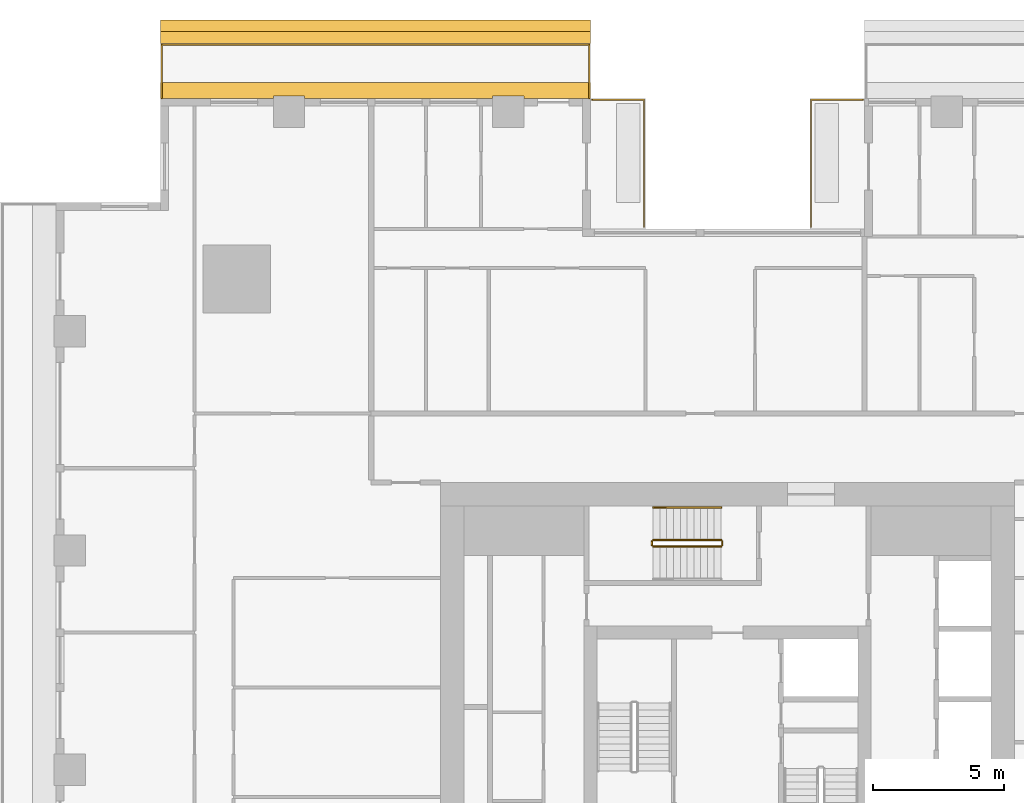
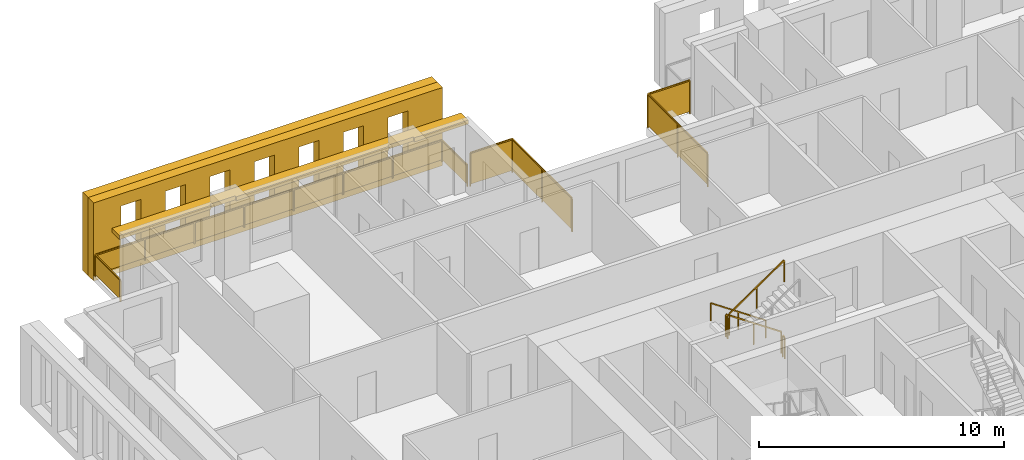
# One storey, part 15 of 16: 8 railings, 3 shading devices.
"""IFC4 building model written with IfcOpenShell, lengths in metres."""

from ifc_helpers import new_model, si_unit, direction, frame, origin, origin_2d, place, context, subcontext, project, spatial, polyline, rectangle, outline, extrude, material, layer, layer_set, type_object, element, save


model = new_model("IFC4")

# Units and contexts
model_context = context("Model", 3, precision=1e-05, world=origin(), true_north=direction((0.0, 1.0)))
body_context = subcontext(model_context, "Body", "Model", "MODEL_VIEW")
ifc_project = project(units=[si_unit("LENGTHUNIT", "METRE"), si_unit("AREAUNIT", "SQUARE_METRE"), si_unit("VOLUMEUNIT", "CUBIC_METRE"), si_unit("PLANEANGLEUNIT", "RADIAN"), si_unit("MASSUNIT", "GRAM", prefix="KILO")], contexts=[model_context])

# Site, building, storey
site_placement = place(None, origin())
site = spatial("IfcSite", under=ifc_project, at=site_placement, CompositionType="ELEMENT")
building_placement = place(site_placement, origin())
building = spatial("IfcBuilding", under=site, at=building_placement, Name="Khepri Terraces", CompositionType="ELEMENT")
storey_placement = place(building_placement, frame((0.0, 0.0, 141.60009765625)))
storey = spatial("IfcBuildingStorey", under=building, at=storey_placement, Name="L33", CompositionType="ELEMENT", Elevation=141.60009765625)

# Railings
ifc_material_1 = material(Name="Stainless steel grade 316", Category="steel")
railing_type_1 = type_object("IfcRailingType", Name="GRD-BAL-1100", PredefinedType="GUARDRAIL", material=ifc_material_1)
railing_1_placement = place(storey_placement, frame((-5.300048828125, 25.719970703125, 0.0)))
element("IfcRailing", 1, at=railing_1_placement, inside=storey, type_object=railing_type_1, Name="Balcony guard L33 N", PredefinedType="GUARDRAIL", context=body_context, shape_type="SweptSolid", body=[
    extrude(rectangle(XDim=0.050048828125, YDim=0.06005859375, at=origin_2d()), frame((0.0, 0.0, 1.070068359375), z_axis=(0.0, 1.0, 0.0), x_axis=(-1.0, 0.0, 0.0)), (0.0, 0.0, 1.0), 2.050048828125),
    extrude(rectangle(XDim=2.0, YDim=0.011962890625, at=origin_2d()), frame((0.0, 1.02490234375, 0.10009765625), z_axis=(0.0, 0.0, 1.0), x_axis=(0.0, 1.0, 0.0)), (0.0, 0.0, 1.0), 0.93994140625),
    extrude(rectangle(XDim=0.050048828125, YDim=0.06005859375, at=origin_2d()), frame((0.0, 2.050048828125, 1.070068359375), z_axis=(-1.0, 0.0, 0.0), x_axis=(0.0, -1.0, 0.0)), (0.0, 0.0, 1.0), 16.369873046875),
    extrude(rectangle(XDim=2.28857421875, YDim=0.011962890625, at=origin_2d()), frame((-1.169189453125, 2.050048828125, 0.10009765625), z_axis=(0.0, 0.0, 1.0), x_axis=(-1.0, 0.0, 0.0)), (0.0, 0.0, 1.0), 0.93994140625),
    extrude(rectangle(XDim=2.28857421875, YDim=0.011962890625, at=origin_2d()), frame((-3.5078125, 2.050048828125, 0.10009765625), z_axis=(0.0, 0.0, 1.0), x_axis=(-1.0, 0.0, 0.0)), (0.0, 0.0, 1.0), 0.93994140625),
    extrude(rectangle(XDim=2.28857421875, YDim=0.011962890625, at=origin_2d()), frame((-5.846435546875, 2.050048828125, 0.10009765625), z_axis=(0.0, 0.0, 1.0), x_axis=(-1.0, 0.0, 0.0)), (0.0, 0.0, 1.0), 0.93994140625),
    extrude(rectangle(XDim=2.28857421875, YDim=0.011962890625, at=origin_2d()), frame((-8.18505859375, 2.050048828125, 0.10009765625), z_axis=(0.0, 0.0, 1.0), x_axis=(-1.0, 0.0, 0.0)), (0.0, 0.0, 1.0), 0.93994140625),
    extrude(rectangle(XDim=2.28857421875, YDim=0.011962890625, at=origin_2d()), frame((-10.5234375, 2.050048828125, 0.10009765625), z_axis=(0.0, 0.0, 1.0), x_axis=(-1.0, 0.0, 0.0)), (0.0, 0.0, 1.0), 0.93994140625),
    extrude(rectangle(XDim=2.28857421875, YDim=0.011962890625, at=origin_2d()), frame((-12.862060546875, 2.050048828125, 0.10009765625), z_axis=(0.0, 0.0, 1.0), x_axis=(-1.0, 0.0, 0.0)), (0.0, 0.0, 1.0), 0.93994140625),
    extrude(rectangle(XDim=2.28857421875, YDim=0.011962890625, at=origin_2d()), frame((-15.20068359375, 2.050048828125, 0.10009765625), z_axis=(0.0, 0.0, 1.0), x_axis=(-1.0, 0.0, 0.0)), (0.0, 0.0, 1.0), 0.93994140625),
    extrude(rectangle(XDim=0.050048828125, YDim=0.06005859375, at=origin_2d()), frame((-16.369873046875, 2.050048828125, 1.070068359375), z_axis=(0.0, -1.0, 0.0), x_axis=(1.0, 0.0, 0.0)), (0.0, 0.0, 1.0), 2.050048828125),
    extrude(rectangle(XDim=2.0, YDim=0.011962890625, at=origin_2d()), frame((-16.369873046875, 1.02490234375, 0.10009765625), z_axis=(0.0, 0.0, 1.0), x_axis=(0.0, -1.0, 0.0)), (0.0, 0.0, 1.0), 0.93994140625),
    extrude(rectangle(XDim=0.050048828125, YDim=0.050048828125, at=origin_2d()), origin(), (0.0, 0.0, 1.0), 1.0400390625),
    extrude(rectangle(XDim=0.050048828125, YDim=0.050048828125, at=origin_2d()), frame((0.0, 2.050048828125, 0.0)), (0.0, 0.0, 1.0), 1.0400390625),
    extrude(rectangle(XDim=0.050048828125, YDim=0.050048828125, at=origin_2d()), frame((-2.338623046875, 2.050048828125, 0.0)), (0.0, 0.0, 1.0), 1.0400390625),
    extrude(rectangle(XDim=0.050048828125, YDim=0.050048828125, at=origin_2d()), frame((-4.677001953125, 2.050048828125, 0.0)), (0.0, 0.0, 1.0), 1.0400390625),
    extrude(rectangle(XDim=0.050048828125, YDim=0.050048828125, at=origin_2d()), frame((-7.015625, 2.050048828125, 0.0)), (0.0, 0.0, 1.0), 1.0400390625),
    extrude(rectangle(XDim=0.050048828125, YDim=0.050048828125, at=origin_2d()), frame((-9.354248046875, 2.050048828125, 0.0)), (0.0, 0.0, 1.0), 1.0400390625),
    extrude(rectangle(XDim=0.050048828125, YDim=0.050048828125, at=origin_2d()), frame((-11.69287109375, 2.050048828125, 0.0)), (0.0, 0.0, 1.0), 1.0400390625),
    extrude(rectangle(XDim=0.050048828125, YDim=0.050048828125, at=origin_2d()), frame((-14.03125, 2.050048828125, 0.0)), (0.0, 0.0, 1.0), 1.0400390625),
    extrude(rectangle(XDim=0.050048828125, YDim=0.050048828125, at=origin_2d()), frame((-16.369873046875, 2.050048828125, 0.0)), (0.0, 0.0, 1.0), 1.0400390625),
    extrude(rectangle(XDim=0.050048828125, YDim=0.050048828125, at=origin_2d()), frame((-16.369873046875, 0.0, 0.0)), (0.0, 0.0, 1.0), 1.0400390625),
])
railing_type_2 = type_object("IfcRailingType", Name="GRD-TERR-1700", PredefinedType="GUARDRAIL", material=ifc_material_1)
railing_2_placement = place(storey_placement, frame((3.199951171875, 20.7900390625, 0.0)))
element("IfcRailing", 2, at=railing_2_placement, inside=storey, type_object=railing_type_2, Name="Terrace guard L33", PredefinedType="GUARDRAIL", context=body_context, shape_type="SweptSolid", body=[
    extrude(rectangle(XDim=0.050048828125, YDim=0.06005859375, at=origin_2d()), frame((0.0, 0.0, 1.669921875), z_axis=(0.0, 1.0, 0.0), x_axis=(-1.0, 0.0, 0.0)), (0.0, 0.0, 1.0), 4.8798828125),
    extrude(rectangle(XDim=2.389892578125, YDim=0.011962890625, at=origin_2d()), frame((0.0, 1.219970703125, 0.10009765625), z_axis=(0.0, 0.0, 1.0), x_axis=(0.0, 1.0, 0.0)), (0.0, 0.0, 1.0), 1.539794921875),
    extrude(rectangle(XDim=2.389892578125, YDim=0.011962890625, at=origin_2d()), frame((0.0, 3.659912109375, 0.10009765625), z_axis=(0.0, 0.0, 1.0), x_axis=(0.0, 1.0, 0.0)), (0.0, 0.0, 1.0), 1.539794921875),
    extrude(rectangle(XDim=0.050048828125, YDim=0.06005859375, at=origin_2d()), frame((0.0, 4.8798828125, 1.669921875), z_axis=(1.0, 0.0, 0.0), x_axis=(0.0, 1.0, 0.0)), (0.0, 0.0, 1.0), 1.97998046875),
    extrude(rectangle(XDim=1.929931640625, YDim=0.011962890625, at=origin_2d()), frame((0.989990234375, 4.8798828125, 0.10009765625), z_axis=(0.0, 0.0, 1.0), x_axis=(1.0, 0.0, 0.0)), (0.0, 0.0, 1.0), 1.539794921875),
    extrude(rectangle(XDim=0.050048828125, YDim=0.050048828125, at=origin_2d()), origin(), (0.0, 0.0, 1.0), 1.639892578125),
    extrude(rectangle(XDim=0.050048828125, YDim=0.050048828125, at=origin_2d()), frame((0.0, 2.43994140625, 0.0)), (0.0, 0.0, 1.0), 1.639892578125),
    extrude(rectangle(XDim=0.050048828125, YDim=0.050048828125, at=origin_2d()), frame((0.0, 4.8798828125, 0.0)), (0.0, 0.0, 1.0), 1.639892578125),
    extrude(rectangle(XDim=0.050048828125, YDim=0.050048828125, at=origin_2d()), frame((1.97998046875, 4.8798828125, 0.0)), (0.0, 0.0, 1.0), 1.639892578125),
])
railing_3_placement = place(storey_placement, frame((-5.179931640625, 25.669921875, 0.0)))
element("IfcRailing", 3, at=railing_3_placement, inside=storey, type_object=railing_type_2, Name="Terrace guard L33", PredefinedType="GUARDRAIL", context=body_context, shape_type="SweptSolid", body=[
    extrude(rectangle(XDim=0.050048828125, YDim=0.06005859375, at=origin_2d()), frame((0.0, 0.0, 1.669921875), z_axis=(1.0, 0.0, 0.0), x_axis=(0.0, 1.0, 0.0)), (0.0, 0.0, 1.0), 1.97998046875),
    extrude(rectangle(XDim=1.929931640625, YDim=0.011962890625, at=origin_2d()), frame((0.989990234375, 0.0, 0.10009765625), z_axis=(0.0, 0.0, 1.0), x_axis=(1.0, 0.0, 0.0)), (0.0, 0.0, 1.0), 1.539794921875),
    extrude(rectangle(XDim=0.050048828125, YDim=0.06005859375, at=origin_2d()), frame((1.97998046875, 0.0, 1.669921875), z_axis=(0.0, -1.0, 0.0), x_axis=(1.0, 0.0, 0.0)), (0.0, 0.0, 1.0), 4.8798828125),
    extrude(rectangle(XDim=2.389892578125, YDim=0.011962890625, at=origin_2d()), frame((1.97998046875, -1.219970703125, 0.10009765625), z_axis=(0.0, 0.0, 1.0), x_axis=(0.0, -1.0, 0.0)), (0.0, 0.0, 1.0), 1.539794921875),
    extrude(rectangle(XDim=2.389892578125, YDim=0.011962890625, at=origin_2d()), frame((1.97998046875, -3.659912109375, 0.10009765625), z_axis=(0.0, 0.0, 1.0), x_axis=(0.0, -1.0, 0.0)), (0.0, 0.0, 1.0), 1.539794921875),
    extrude(rectangle(XDim=0.050048828125, YDim=0.050048828125, at=origin_2d()), origin(), (0.0, 0.0, 1.0), 1.639892578125),
    extrude(rectangle(XDim=0.050048828125, YDim=0.050048828125, at=origin_2d()), frame((1.97998046875, 0.0, 0.0)), (0.0, 0.0, 1.0), 1.639892578125),
    extrude(rectangle(XDim=0.050048828125, YDim=0.050048828125, at=origin_2d()), frame((1.97998046875, -2.43994140625, 0.0)), (0.0, 0.0, 1.0), 1.639892578125),
    extrude(rectangle(XDim=0.050048828125, YDim=0.050048828125, at=origin_2d()), frame((1.97998046875, -4.8798828125, 0.0)), (0.0, 0.0, 1.0), 1.639892578125),
])
ifc_material_2 = material(Name="Stainless steel 316", Category="steel")
railing_type_3 = type_object("IfcRailingType", Name="RL-CORE-GUARD", PredefinedType="GUARDRAIL", material=ifc_material_2)
railing_4_placement = place(storey_placement, frame((-0.25, 8.800048828125, 0.17724609375)))
element("IfcRailing", 4, at=railing_4_placement, inside=storey, type_object=railing_type_3, Name="L33 ST-3 stair guard 1", PredefinedType="GUARDRAIL", context=body_context, shape_type="SweptSolid", body=[
    extrude(rectangle(XDim=0.050048828125, YDim=0.06005859375, at=origin_2d()), frame((0.0, 0.0, 1.070068359375), z_axis=(-0.826240473404, 0.0, 0.563317565952), x_axis=(0.0, -1.0, 0.0)), (0.0, 0.0, 1.0), 3.14697265625),
    extrude(rectangle(XDim=0.050048828125, YDim=0.050048828125, at=origin_2d()), origin(), (0.0, 0.0, 1.0), 1.0400390625),
    extrude(rectangle(XDim=0.050048828125, YDim=0.050048828125, at=origin_2d()), frame((-1.300048828125, 0.0, 0.88623046875)), (0.0, 0.0, 1.0), 1.0400390625),
    extrude(rectangle(XDim=0.050048828125, YDim=0.050048828125, at=origin_2d()), frame((-2.60009765625, 0.0, 1.772705078125)), (0.0, 0.0, 1.0), 1.0400390625),
])
railing_5_placement = place(storey_placement, frame((-2.89990234375, 8.75, 1.949951171875)))
element("IfcRailing", 5, at=railing_5_placement, inside=storey, type_object=railing_type_3, Name="L33 ST-3 stair guard 2", PredefinedType="GUARDRAIL", context=body_context, shape_type="SweptSolid", body=[
    extrude(rectangle(XDim=0.050048828125, YDim=0.06005859375, at=origin_2d()), frame((0.0, 0.0, 1.070068359375), z_axis=(0.0, -1.0, 0.0), x_axis=(1.0, 0.0, 0.0)), (0.0, 0.0, 1.0), 0.14990234375),
    extrude(rectangle(XDim=0.050048828125, YDim=0.050048828125, at=origin_2d()), origin(), (0.0, 0.0, 1.0), 1.0400390625),
    extrude(rectangle(XDim=0.050048828125, YDim=0.050048828125, at=origin_2d()), frame((0.0, -0.14990234375, 0.0)), (0.0, 0.0, 1.0), 1.0400390625),
])
railing_6_placement = place(storey_placement, frame((-2.85009765625, 8.550048828125, 2.127197265625)))
element("IfcRailing", 6, at=railing_6_placement, inside=storey, type_object=railing_type_3, Name="L33 ST-3 stair guard 3", PredefinedType="GUARDRAIL", context=body_context, shape_type="SweptSolid", body=[
    extrude(rectangle(XDim=0.050048828125, YDim=0.06005859375, at=origin_2d()), frame((0.0, 0.0, 1.070068359375), z_axis=(0.826240473404, 0.0, 0.563317565952), x_axis=(0.0, 1.0, 0.0)), (0.0, 0.0, 1.0), 3.14697265625),
    extrude(rectangle(XDim=0.050048828125, YDim=0.050048828125, at=origin_2d()), origin(), (0.0, 0.0, 1.0), 1.0400390625),
    extrude(rectangle(XDim=0.050048828125, YDim=0.050048828125, at=origin_2d()), frame((1.300048828125, 0.0, 0.88623046875)), (0.0, 0.0, 1.0), 1.0400390625),
    extrude(rectangle(XDim=0.050048828125, YDim=0.050048828125, at=origin_2d()), frame((2.60009765625, 0.0, 1.772705078125)), (0.0, 0.0, 1.0), 1.0400390625),
])
railing_7_placement = place(storey_placement, frame((-0.199951171875, 8.75, 0.0)))
element("IfcRailing", 7, at=railing_7_placement, inside=storey, type_object=railing_type_3, Name="L33 ST-3 stair guard 4", PredefinedType="GUARDRAIL", context=body_context, shape_type="SweptSolid", body=[
    extrude(rectangle(XDim=0.050048828125, YDim=0.06005859375, at=origin_2d()), frame((0.0, 0.0, 1.070068359375), z_axis=(0.0, -1.0, 0.0), x_axis=(1.0, 0.0, 0.0)), (0.0, 0.0, 1.0), 0.14990234375),
    extrude(rectangle(XDim=0.050048828125, YDim=0.050048828125, at=origin_2d()), origin(), (0.0, 0.0, 1.0), 1.0400390625),
    extrude(rectangle(XDim=0.050048828125, YDim=0.050048828125, at=origin_2d()), frame((0.0, -0.14990234375, 0.0)), (0.0, 0.0, 1.0), 1.0400390625),
])
railing_type_4 = type_object("IfcRailingType", Name="RL-CORE-HANDRAIL", PredefinedType="HANDRAIL", material=ifc_material_2)
railing_8_placement = place(storey_placement, frame((-0.25, 10.050048828125, 0.17724609375)))
element("IfcRailing", 8, at=railing_8_placement, inside=storey, type_object=railing_type_4, Name="L33 ST-3 stair handrail 1", PredefinedType="HANDRAIL", context=body_context, shape_type="SweptSolid", body=[
    extrude(rectangle(XDim=0.050048828125, YDim=0.050048828125, at=origin_2d()), frame((0.0, 0.0, 0.875), z_axis=(-0.826240473404, 0.0, 0.563317565952), x_axis=(0.0, -1.0, 0.0)), (0.0, 0.0, 1.0), 3.14697265625),
    extrude(rectangle(XDim=0.050048828125, YDim=0.050048828125, at=origin_2d()), origin(), (0.0, 0.0, 1.0), 0.849853515625),
    extrude(rectangle(XDim=0.050048828125, YDim=0.050048828125, at=origin_2d()), frame((-1.300048828125, 0.0, 0.88623046875)), (0.0, 0.0, 1.0), 0.849853515625),
    extrude(rectangle(XDim=0.050048828125, YDim=0.050048828125, at=origin_2d()), frame((-2.60009765625, 0.0, 1.772705078125)), (0.0, 0.0, 1.0), 0.849853515625),
])

# Shading devices
ifc_material_3 = material(Name="Precast concrete C50/60 warm stone", Category="masonry")
shading_device_type_1 = type_object("IfcShadingDeviceType", Name="SCR-CELL-INNER-450", PredefinedType="USERDEFINED", material=ifc_material_3)
shading_device_1_placement = place(storey_placement, frame((-5.25, 27.820068359375, -0.25), z_axis=(0.0, 1.0, 0.0), x_axis=(-1.0, 0.0, 0.0)))
element("IfcShadingDevice", 9, at=shading_device_1_placement, inside=storey, type_object=shading_device_type_1, Name="Cell screen L33 N in", ObjectType="SCREEN", PredefinedType="USERDEFINED", context=body_context, shape_type="SweptSolid", body=[
    extrude(outline(polyline([(0.0, 0.0), (16.469970703125, 0.0), (16.469970703125, 3.89990234375), (0.0, 3.89990234375), (0.0, 0.0)]), holes=[polyline([(1.62744140625, 0.699951171875), (2.572509765625, 0.699951171875), (2.572509765625, 3.300048828125), (1.62744140625, 3.300048828125), (1.62744140625, 0.699951171875)]), polyline([(3.7275390625, 0.699951171875), (4.672607421875, 0.699951171875), (4.672607421875, 3.300048828125), (3.7275390625, 3.300048828125), (3.7275390625, 0.699951171875)]), polyline([(5.827392578125, 0.699951171875), (6.7724609375, 0.699951171875), (6.7724609375, 3.300048828125), (5.827392578125, 3.300048828125), (5.827392578125, 0.699951171875)]), polyline([(7.927490234375, 0.699951171875), (8.87255859375, 0.699951171875), (8.87255859375, 3.300048828125), (7.927490234375, 3.300048828125), (7.927490234375, 0.699951171875)]), polyline([(10.027587890625, 0.699951171875), (10.972412109375, 0.699951171875), (10.972412109375, 3.300048828125), (10.027587890625, 3.300048828125), (10.027587890625, 0.699951171875)]), polyline([(12.12744140625, 0.699951171875), (13.072509765625, 0.699951171875), (13.072509765625, 3.300048828125), (12.12744140625, 3.300048828125), (12.12744140625, 0.699951171875)]), polyline([(14.2275390625, 0.699951171875), (15.172607421875, 0.699951171875), (15.172607421875, 3.300048828125), (14.2275390625, 3.300048828125), (14.2275390625, 0.699951171875)])]), origin(), (0.0, 0.0, 1.0), 0.449951171875),
])
shading_device_type_2 = type_object("IfcShadingDeviceType", Name="SCR-CELL-OUTER-450", PredefinedType="USERDEFINED", material=ifc_material_3)
shading_device_2_placement = place(storey_placement, frame((-5.25, 28.27001953125, -0.25), z_axis=(0.0, 1.0, 0.0), x_axis=(-1.0, 0.0, 0.0)))
element("IfcShadingDevice", 10, at=shading_device_2_placement, inside=storey, type_object=shading_device_type_2, Name="Cell screen L33 N out", ObjectType="SCREEN", PredefinedType="USERDEFINED", context=body_context, shape_type="SweptSolid", body=[
    extrude(outline(polyline([(0.0, 0.0), (16.469970703125, 0.0), (16.469970703125, 3.89990234375), (0.0, 3.89990234375), (0.0, 0.0)]), holes=[polyline([(1.277587890625, 0.449951171875), (2.922607421875, 0.449951171875), (2.922607421875, 3.550048828125), (1.277587890625, 3.550048828125), (1.277587890625, 0.449951171875)]), polyline([(3.37744140625, 0.449951171875), (5.0224609375, 0.449951171875), (5.0224609375, 3.550048828125), (3.37744140625, 3.550048828125), (3.37744140625, 0.449951171875)]), polyline([(5.4775390625, 0.449951171875), (7.12255859375, 0.449951171875), (7.12255859375, 3.550048828125), (5.4775390625, 3.550048828125), (5.4775390625, 0.449951171875)]), polyline([(7.577392578125, 0.449951171875), (9.222412109375, 0.449951171875), (9.222412109375, 3.550048828125), (7.577392578125, 3.550048828125), (7.577392578125, 0.449951171875)]), polyline([(9.677490234375, 0.449951171875), (11.322509765625, 0.449951171875), (11.322509765625, 3.550048828125), (9.677490234375, 3.550048828125), (9.677490234375, 0.449951171875)]), polyline([(11.777587890625, 0.449951171875), (13.422607421875, 0.449951171875), (13.422607421875, 3.550048828125), (11.777587890625, 3.550048828125), (11.777587890625, 0.449951171875)]), polyline([(13.87744140625, 0.449951171875), (15.5224609375, 0.449951171875), (15.5224609375, 3.550048828125), (13.87744140625, 3.550048828125), (13.87744140625, 0.449951171875)])]), origin(), (0.0, 0.0, 1.0), 0.449951171875),
])
ifc_layer = layer(ifc_material_3, 0.199951171875, Name="Precast concrete C50/60 warm stone", Category="masonry")
ifc_layer_set = layer_set([ifc_layer], Name="Precast concrete C50/60 warm stone")
shading_device_type_3 = type_object("IfcShadingDeviceType", Name="SSH-BAND-STONE-200-N", PredefinedType="USERDEFINED", material=ifc_layer_set)
shading_device_3_placement = place(storey_placement, frame((0.0, 0.0, 3.099853515625)))
element("IfcShadingDevice", 11, at=shading_device_3_placement, inside=storey, type_object=shading_device_type_3, Name="Sunshade band L33 N", ObjectType="SUNSHADE", PredefinedType="USERDEFINED", context=body_context, shape_type="SweptSolid", body=[
    extrude(outline(polyline([(-7.800048828125, 25.719970703125), (-5.25, 25.719970703125), (-5.25, 26.320068359375), (-21.719970703125, 26.320068359375), (-21.719970703125, 25.719970703125), (-17.39990234375, 25.719970703125), (-17.39990234375, 25.800048828125), (-16.199951171875, 25.800048828125), (-16.199951171875, 25.719970703125), (-9.0, 25.719970703125), (-9.0, 25.800048828125), (-7.800048828125, 25.800048828125), (-7.800048828125, 25.719970703125)])), origin(), (0.0, 0.0, 1.0), 0.199951171875),
])

save(model, "model.ifc")
